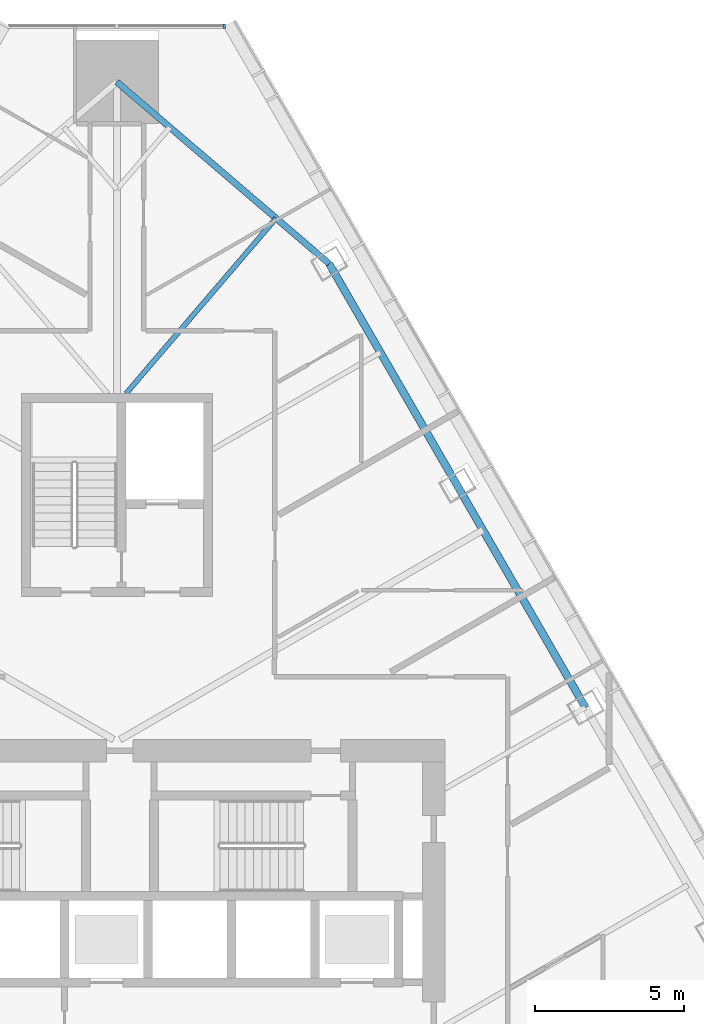
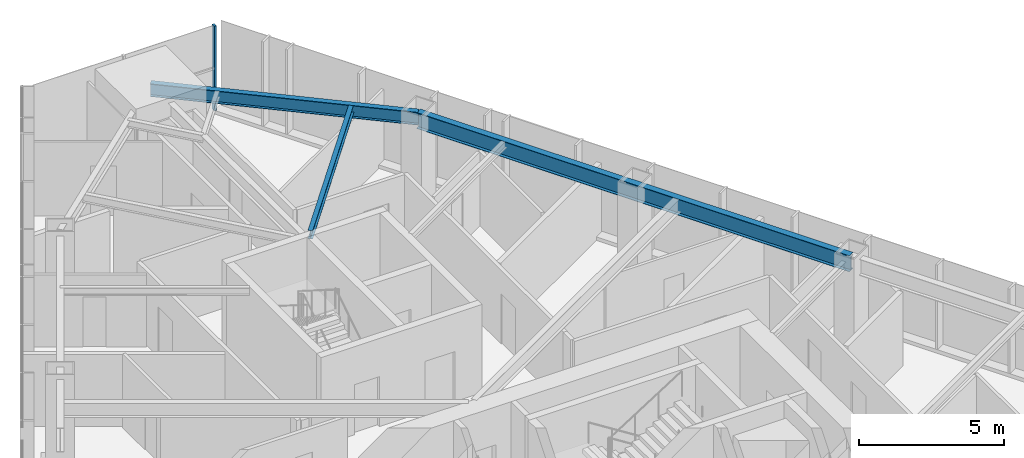
# One storey, part 8 of 16: 3 beams, 1 member, 1 element without a shape of its own.
"""IFC4 building model written with IfcOpenShell, lengths in metres."""

from ifc_helpers import new_model, si_unit, direction, frame, origin, origin_2d, place, context, subcontext, project, spatial, rectangle, i_section, extrude, material, layer, layer_set, material_profile, profile_set, type_object, element, aggregate, save


model = new_model("IFC4")

# Units and contexts
model_context = context("Model", 3, precision=1e-05, world=origin(), true_north=direction((0.0, 1.0)))
body_context = subcontext(model_context, "Body", "Model", "MODEL_VIEW")
ifc_project = project(units=[si_unit("LENGTHUNIT", "METRE"), si_unit("AREAUNIT", "SQUARE_METRE"), si_unit("VOLUMEUNIT", "CUBIC_METRE"), si_unit("PLANEANGLEUNIT", "RADIAN"), si_unit("MASSUNIT", "GRAM", prefix="KILO")], contexts=[model_context])

# Site, building, storey
site_placement = place(None, origin())
site = spatial("IfcSite", under=ifc_project, at=site_placement, CompositionType="ELEMENT")
building_placement = place(site_placement, origin())
building = spatial("IfcBuilding", under=site, at=building_placement, Name="Firuza Gate Tower and Library", CompositionType="ELEMENT")
storey_placement = place(building_placement, frame((0.0, 0.0, 198.699951171875)))
storey = spatial("IfcBuildingStorey", under=building, at=storey_placement, Name="L46", CompositionType="ELEMENT", Elevation=198.699951171875)

# Curtain wall, member
ifc_material_1 = material(Name="Aluminium 6063-T6", Category="aluminium")
ifc_layer = layer(ifc_material_1, 0.14990234375)
ifc_layer_set = layer_set([ifc_layer], Name="Corner curtain wall, chamfers")
curtain_wall_type = type_object("IfcCurtainWallType", Name="Corner curtain wall, chamfers", PredefinedType="NOTDEFINED", material=ifc_layer_set)
curtain_wall_placement = place(storey_placement, origin())
curtain_wall = element("IfcCurtainWall", 1, at=curtain_wall_placement, inside=storey, type_object=curtain_wall_type, Name="CW4 L46 N corner", PredefinedType="NOTDEFINED")
ifc_material_2 = material(Name="Aluminium 6063-T6", Category="aluminium")
ifc_material_profile_1 = material_profile(ifc_material_2, rectangle(XDim=0.14990234375, YDim=0.080078125, at=origin_2d()))
ifc_profile_set_1 = profile_set([ifc_material_profile_1], Name="Aluminium 6063-T6")
member_type = type_object("IfcMemberType", Name="Curtain wall mullion 80x150", PredefinedType="MULLION", material=ifc_profile_set_1)
member_placement = place(storey_placement, frame((78.603271484375, 106.923095703125, 0.150146484375), z_axis=(0.0, 0.0, 1.0), x_axis=(0.0, -1.0, 0.0)))
member = element("IfcMember", 2, at=member_placement, type_object=member_type, Name="Mullion", PredefinedType="MULLION", context=body_context, shape_type="SweptSolid", body=[
    extrude(rectangle(XDim=0.14990234375, YDim=0.080078125, at=origin_2d()), origin(), (0.0, 0.0, 1.0), 3.5498046875),
])
aggregate(curtain_wall, [member])

# Beams
ifc_material_3 = material(Name="Steel S355", Category="steel")
ifc_material_profile_2 = material_profile(ifc_material_3, i_section(OverallWidth=0.1708984375, OverallDepth=0.35498046875, WebThickness=0.007080078125, FlangeThickness=0.01171875, at=origin_2d()))
ifc_profile_set_2 = profile_set([ifc_material_profile_2], Name="Steel S355")
beam_type_1 = type_object("IfcBeamType", Name="W360x51 Floor beam", PredefinedType="JOIST", material=ifc_profile_set_2)
beam_1_placement = place(storey_placement, frame((80.338134765625, 100.478759765625, 3.5224609375), z_axis=(-0.650297579559, -0.759679575887, 0.0), x_axis=(0.759679575887, -0.650297579559, 0.0)))
element("IfcBeam", 3, at=beam_1_placement, inside=storey, type_object=beam_type_1, Name="Floor beam L46 s60", PredefinedType="JOIST", context=body_context, shape_type="SweptSolid", body=[
    extrude(i_section(OverallWidth=0.1708984375, OverallDepth=0.35498046875, WebThickness=0.007080078125, FlangeThickness=0.01171875, at=origin_2d()), origin(), (0.0, 0.0, 1.0), 7.73828125),
])
ifc_material_4 = material(Name="Steel S355", Category="steel")
ifc_material_profile_3 = material_profile(ifc_material_4, i_section(OverallWidth=0.212890625, OverallDepth=0.5390625, WebThickness=0.01171875, FlangeThickness=0.018798828125, at=origin_2d()))
ifc_profile_set_3 = profile_set([ifc_material_profile_3], Name="Steel S355")
beam_type_2 = type_object("IfcBeamType", Name="W530x109 Edge beam", PredefinedType="SPANDREL", material=ifc_profile_set_3)
beam_2_placement = place(storey_placement, frame((82.117431640625, 98.95556640625, 3.4306640625), z_axis=(-0.759685024289, 0.650291214665, 0.0), x_axis=(-0.650291214665, -0.759685024289, 0.0)))
element("IfcBeam", 4, at=beam_2_placement, inside=storey, type_object=beam_type_2, Name="Edge beam L46 e60", PredefinedType="SPANDREL", context=body_context, shape_type="SweptSolid", body=[
    extrude(i_section(OverallWidth=0.212890625, OverallDepth=0.5390625, WebThickness=0.01171875, FlangeThickness=0.018798828125, at=origin_2d()), origin(), (0.0, 0.0, 1.0), 9.368896484375),
])
ifc_material_5 = material(Name="Steel S355", Category="steel")
ifc_material_profile_4 = material_profile(ifc_material_5, i_section(OverallWidth=0.2529296875, OverallDepth=0.677978515625, WebThickness=0.01171875, FlangeThickness=0.016357421875, at=origin_2d()))
ifc_profile_set_4 = profile_set([ifc_material_profile_4], Name="Steel S355")
beam_type_3 = type_object("IfcBeamType", Name="W690x125 Edge beam", PredefinedType="SPANDREL", material=ifc_profile_set_4)
beam_3_placement = place(storey_placement, frame((90.711181640625, 84.07080078125, 3.361083984375), z_axis=(-0.500001158966, 0.866024734654, 0.0), x_axis=(-0.866024734654, -0.500001158966, 0.0)))
element("IfcBeam", 5, at=beam_3_placement, inside=storey, type_object=beam_type_3, Name="Edge beam L46 e52", PredefinedType="SPANDREL", context=body_context, shape_type="SweptSolid", body=[
    extrude(i_section(OverallWidth=0.2529296875, OverallDepth=0.677978515625, WebThickness=0.01171875, FlangeThickness=0.016357421875, at=origin_2d()), origin(), (0.0, 0.0, 1.0), 17.1875),
])

save(model, "model.ifc")
